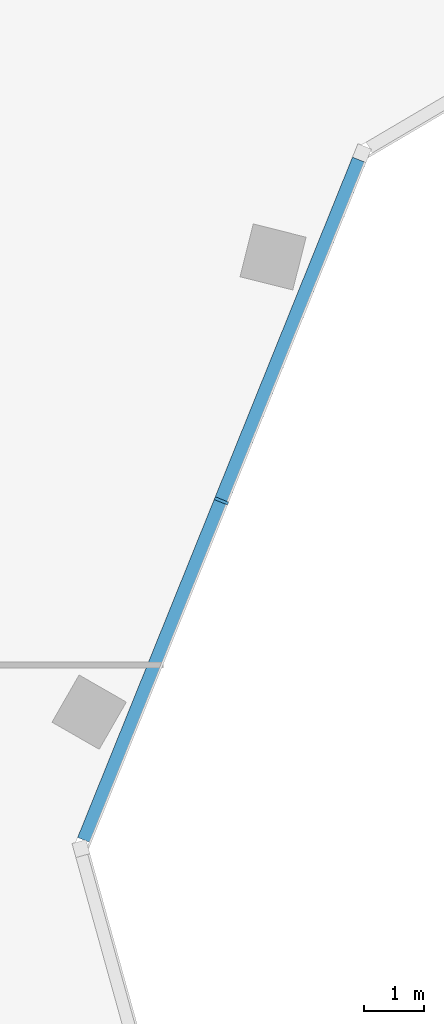
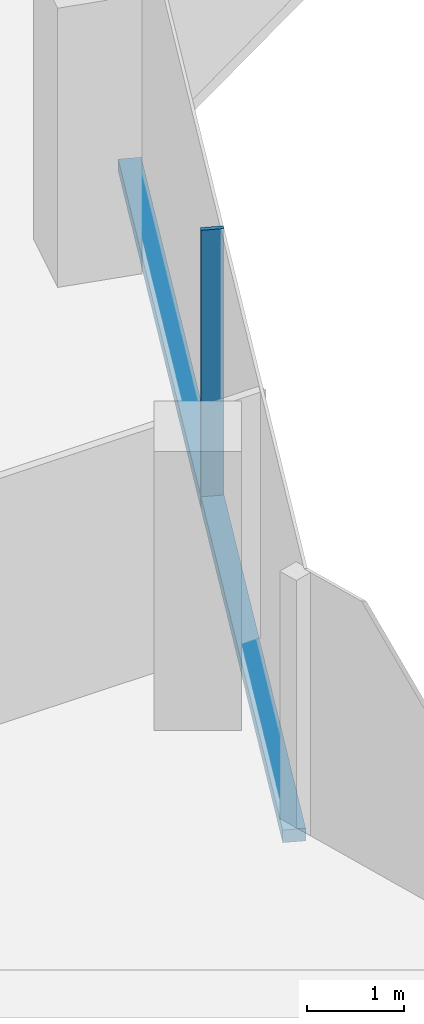
# One storey, part 5 of 15: 2 members, 1 element without a shape of its own.
"""IFC4 building model written with IfcOpenShell, lengths in metres."""

from ifc_helpers import new_model, si_unit, direction, frame, origin, origin_2d, place, context, subcontext, project, spatial, rectangle, extrude, material, material_profile, profile_set, type_object, element, aggregate, save


model = new_model("IFC4")

# Units and contexts
model_context = context("Model", 3, precision=1e-05, world=origin(), true_north=direction((0.0, 1.0)))
body_context = subcontext(model_context, "Body", "Model", "MODEL_VIEW")
ifc_project = project(units=[si_unit("LENGTHUNIT", "METRE"), si_unit("AREAUNIT", "SQUARE_METRE"), si_unit("VOLUMEUNIT", "CUBIC_METRE"), si_unit("PLANEANGLEUNIT", "RADIAN"), si_unit("MASSUNIT", "GRAM", prefix="KILO")], contexts=[model_context])

# Site, building, storey
site_placement = place(None, origin())
site = spatial("IfcSite", under=ifc_project, at=site_placement, CompositionType="ELEMENT")
building_placement = place(site_placement, origin())
building = spatial("IfcBuilding", under=site, at=building_placement, Name="Orlundy Tower", CompositionType="ELEMENT")
storey_placement = place(building_placement, frame((0.0, 0.0, 278.89990234375)))
storey = spatial("IfcBuildingStorey", under=building, at=storey_placement, Name="L74", CompositionType="ELEMENT", Elevation=278.89990234375)

# Curtain wall, members
ifc_material_1 = material(Name="Aluminium bronze anodised", Category="aluminium")
curtain_wall_type = type_object("IfcCurtainWallType", Name="CW6 wall", PredefinedType="NOTDEFINED", material=ifc_material_1)
curtain_wall_placement = place(storey_placement, origin())
curtain_wall = element("IfcCurtainWall", 1, at=curtain_wall_placement, inside=storey, type_object=curtain_wall_type, Name="CW6 run 01", PredefinedType="NOTDEFINED")
ifc_material_2 = material(Name="Aluminium bronze anodised", Category="aluminium")
ifc_material_profile_1 = material_profile(ifc_material_2, rectangle(XDim=0.239990234375, YDim=0.050048828125, at=origin_2d()), Name="CW6 mullion 50x240")
ifc_profile_set_1 = profile_set([ifc_material_profile_1], Name="Aluminium bronze anodised")
member_type_1 = type_object("IfcMemberType", Name="CW6 mullion 50x240", PredefinedType="MULLION", material=ifc_profile_set_1)
member_1_placement = place(storey_placement, frame((27.9267578125, -11.283447265625, -0.39990234375), z_axis=(0.0, 0.0, 1.0), x_axis=(0.927195304229, -0.37457825326, 0.0)))
member_1 = element("IfcMember", 2, at=member_1_placement, type_object=member_type_1, Name="CW6 mullion 4", PredefinedType="MULLION", context=body_context, shape_type="SweptSolid", body=[
    extrude(rectangle(XDim=0.239990234375, YDim=0.050048828125, at=origin_2d()), origin(), (0.0, 0.0, 1.0), 3.5),
])
ifc_material_3 = material(Name="Aluminium bronze anodised", Category="aluminium")
ifc_material_profile_2 = material_profile(ifc_material_3, rectangle(XDim=0.239990234375, YDim=0.159912109375, at=origin_2d()), Name="CW6 transom 240x160")
ifc_profile_set_2 = profile_set([ifc_material_profile_2], Name="Aluminium bronze anodised")
member_type_2 = type_object("IfcMemberType", Name="CW6 transom 240x160", PredefinedType="USERDEFINED", material=ifc_profile_set_2)
member_2_placement = place(storey_placement, frame((30.205078125, -5.64404296875, -0.31982421875), z_axis=(-0.374580153856, -0.927194536404, 0.0), x_axis=(0.927194536404, -0.374580153856, 0.0)))
member_2 = element("IfcMember", 3, at=member_2_placement, type_object=member_type_2, Name="CW6 transom", ObjectType="TRANSOM", PredefinedType="USERDEFINED", context=body_context, shape_type="SweptSolid", body=[
    extrude(rectangle(XDim=0.239990234375, YDim=0.159912109375, at=origin_2d()), origin(), (0.0, 0.0, 1.0), 12.13330078125),
])
aggregate(curtain_wall, [member_1, member_2])

save(model, "model.ifc")
